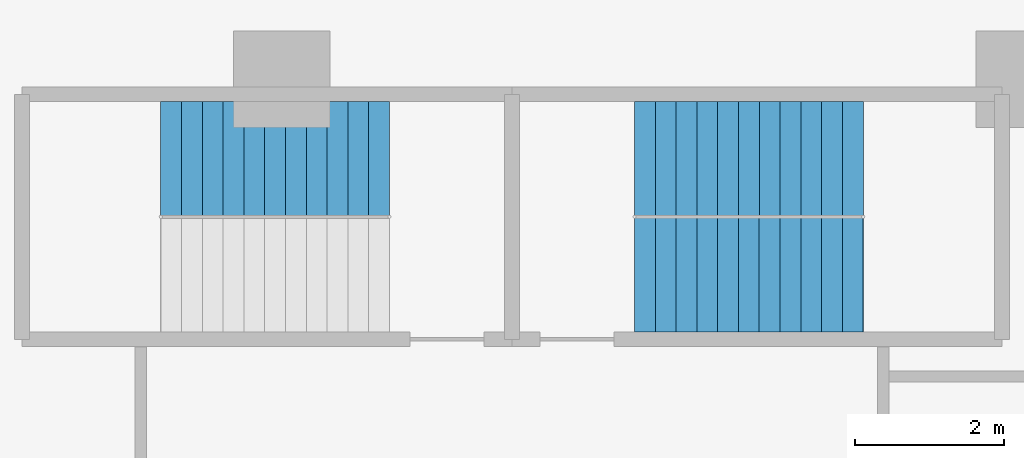
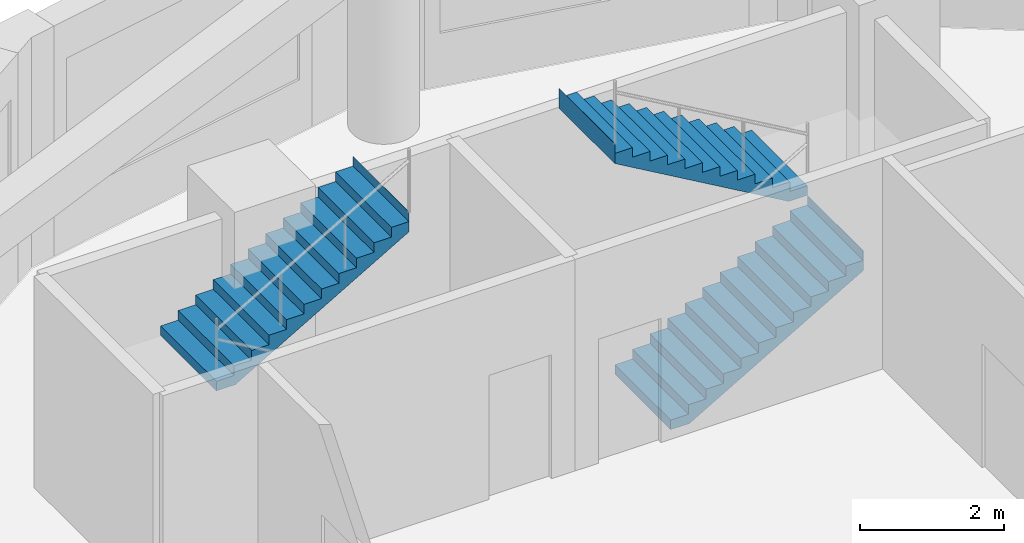
# One storey, part 7 of 9: 3 stair flights, 2 elements without a shape of their own.
"""IFC4 building model written with IfcOpenShell, lengths in metres."""

from ifc_helpers import new_model, si_unit, direction, frame, origin, place, context, subcontext, project, spatial, polyline, outline, extrude, material, type_object, element, aggregate, save


model = new_model("IFC4")

# Units and contexts
model_context = context("Model", 3, precision=1e-05, world=origin(), true_north=direction((0.0, 1.0)))
body_context = subcontext(model_context, "Body", "Model", "MODEL_VIEW")
ifc_project = project(units=[si_unit("LENGTHUNIT", "METRE"), si_unit("AREAUNIT", "SQUARE_METRE"), si_unit("VOLUMEUNIT", "CUBIC_METRE"), si_unit("PLANEANGLEUNIT", "RADIAN"), si_unit("MASSUNIT", "GRAM", prefix="KILO")], contexts=[model_context])

# Site, building, storey
site_placement = place(None, origin())
site = spatial("IfcSite", under=ifc_project, at=site_placement, CompositionType="ELEMENT")
building_placement = place(site_placement, origin())
building = spatial("IfcBuilding", under=site, at=building_placement, Name="Qaws Garden Tower", CompositionType="ELEMENT")
storey_placement = place(building_placement, frame((0.0, 0.0, 131.699951171875)))
storey = spatial("IfcBuildingStorey", under=building, at=storey_placement, Name="L31", CompositionType="ELEMENT", Elevation=131.699951171875)

# Stair, stair flight
ifc_material_1 = material(Name="Concrete C40", Category="concrete")
stair_type = type_object("IfcStairType", Name="Exit stair 1350", PredefinedType="HALF_TURN_STAIR", material=ifc_material_1)
placement = place(storey_placement, origin())
stair_1 = element("IfcStair", 1, at=placement, inside=storey, type_object=stair_type, Name="Stair 6", PredefinedType="HALF_TURN_STAIR")
ifc_material_2 = material(Name="Concrete C40", Category="concrete")
stair_flight_type = type_object("IfcStairFlightType", Name="Stair flight 1350", PredefinedType="STRAIGHT", material=ifc_material_2)
stair_flight_1_placement = place(storey_placement, frame((8.3701171875, 68.925048828125, 1.949951171875), z_axis=(0.0, 0.0, 1.0), x_axis=(1.0, 0.0, 0.0)))
stair_flight_1 = element("IfcStairFlight", 2, at=stair_flight_1_placement, type_object=stair_flight_type, Name="ST6 flight 2", NumberOfRisers=12, NumberOfTreads=11, PredefinedType="STRAIGHT", RiserHeight=0.1625, TreadLength=0.28, context=body_context, shape_type="SweptSolid", body=[
    extrude(outline(polyline([(-0.0029296875, 0.0), (-0.0029296875, 0.16259765625), (0.0, 0.16259765625), (0.280029296875, 0.16259765625), (0.280029296875, 0.324951171875), (0.56005859375, 0.324951171875), (0.56005859375, 0.487548828125), (0.840087890625, 0.487548828125), (0.840087890625, 0.64990234375), (1.1201171875, 0.64990234375), (1.1201171875, 0.8125), (1.39990234375, 0.8125), (1.39990234375, 0.97509765625), (1.679931640625, 0.97509765625), (1.679931640625, 1.137451171875), (1.9599609375, 1.137451171875), (1.9599609375, 1.300048828125), (2.239990234375, 1.300048828125), (2.239990234375, 1.46240234375), (2.52001953125, 1.46240234375), (2.52001953125, 1.625), (2.800048828125, 1.625), (2.800048828125, 1.78759765625), (3.080078125, 1.78759765625), (3.080078125, 1.949951171875), (3.0830078125, 1.949951171875), (3.0830078125, 1.6142578125), (3.080078125, 1.6142578125), (0.298583984375, 0.0), (-0.0029296875, 0.0)])), frame((0.0, 0.77490234375, 0.0), z_axis=(0.0, -1.0, 0.0), x_axis=(1.0, 0.0, 0.0)), (0.0, 0.0, 1.0), 1.550048828125),
])
aggregate(stair_1, [stair_flight_1])

# Stair, stair flights
stair_2 = element("IfcStair", 3, at=placement, inside=storey, type_object=stair_type, Name="Stair 7", PredefinedType="HALF_TURN_STAIR")
stair_flight_2_placement = place(storey_placement, frame((14.75, 67.375, 0.0), z_axis=(0.0, 0.0, 1.0), x_axis=(1.0, 0.0, 0.0)))
stair_flight_2 = element("IfcStairFlight", 4, at=stair_flight_2_placement, type_object=stair_flight_type, Name="ST7 flight 1", NumberOfRisers=12, NumberOfTreads=11, PredefinedType="STRAIGHT", RiserHeight=0.1625, TreadLength=0.28, context=body_context, shape_type="SweptSolid", body=[
    extrude(outline(polyline([(-0.0029296875, 0.0), (-0.0029296875, 0.16259765625), (0.0, 0.16259765625), (0.280029296875, 0.16259765625), (0.280029296875, 0.324951171875), (0.56005859375, 0.324951171875), (0.56005859375, 0.487548828125), (0.840087890625, 0.487548828125), (0.840087890625, 0.64990234375), (1.1201171875, 0.64990234375), (1.1201171875, 0.8125), (1.39990234375, 0.8125), (1.39990234375, 0.97509765625), (1.679931640625, 0.97509765625), (1.679931640625, 1.137451171875), (1.9599609375, 1.137451171875), (1.9599609375, 1.300048828125), (2.239990234375, 1.300048828125), (2.239990234375, 1.46240234375), (2.52001953125, 1.46240234375), (2.52001953125, 1.625), (2.800048828125, 1.625), (2.800048828125, 1.78759765625), (3.080078125, 1.78759765625), (3.080078125, 1.949951171875), (3.0830078125, 1.949951171875), (3.0830078125, 1.6142578125), (3.080078125, 1.6142578125), (0.298583984375, 0.0), (-0.0029296875, 0.0)])), frame((0.0, 0.77490234375, 0.0), z_axis=(0.0, -1.0, 0.0), x_axis=(1.0, 0.0, 0.0)), (0.0, 0.0, 1.0), 1.550048828125),
])
stair_flight_3_placement = place(storey_placement, frame((17.830078125, 68.925048828125, 1.949951171875), z_axis=(0.0, 0.0, 1.0), x_axis=(-1.0, 0.0, 0.0)))
stair_flight_3 = element("IfcStairFlight", 5, at=stair_flight_3_placement, type_object=stair_flight_type, Name="ST7 flight 2", NumberOfRisers=12, NumberOfTreads=11, PredefinedType="STRAIGHT", RiserHeight=0.1625, TreadLength=0.28, context=body_context, shape_type="SweptSolid", body=[
    extrude(outline(polyline([(-0.0029296875, 0.0), (-0.0029296875, 0.16259765625), (0.0, 0.16259765625), (0.280029296875, 0.16259765625), (0.280029296875, 0.324951171875), (0.56005859375, 0.324951171875), (0.56005859375, 0.487548828125), (0.840087890625, 0.487548828125), (0.840087890625, 0.64990234375), (1.1201171875, 0.64990234375), (1.1201171875, 0.8125), (1.39990234375, 0.8125), (1.39990234375, 0.97509765625), (1.679931640625, 0.97509765625), (1.679931640625, 1.137451171875), (1.9599609375, 1.137451171875), (1.9599609375, 1.300048828125), (2.239990234375, 1.300048828125), (2.239990234375, 1.46240234375), (2.52001953125, 1.46240234375), (2.52001953125, 1.625), (2.800048828125, 1.625), (2.800048828125, 1.78759765625), (3.080078125, 1.78759765625), (3.080078125, 1.949951171875), (3.0830078125, 1.949951171875), (3.0830078125, 1.6142578125), (3.080078125, 1.6142578125), (0.298583984375, 0.0), (-0.0029296875, 0.0)])), frame((0.0, 0.77490234375, 0.0), z_axis=(0.0, -1.0, 0.0), x_axis=(1.0, 0.0, 0.0)), (0.0, 0.0, 1.0), 1.550048828125),
])
aggregate(stair_2, [stair_flight_2, stair_flight_3])

save(model, "model.ifc")
